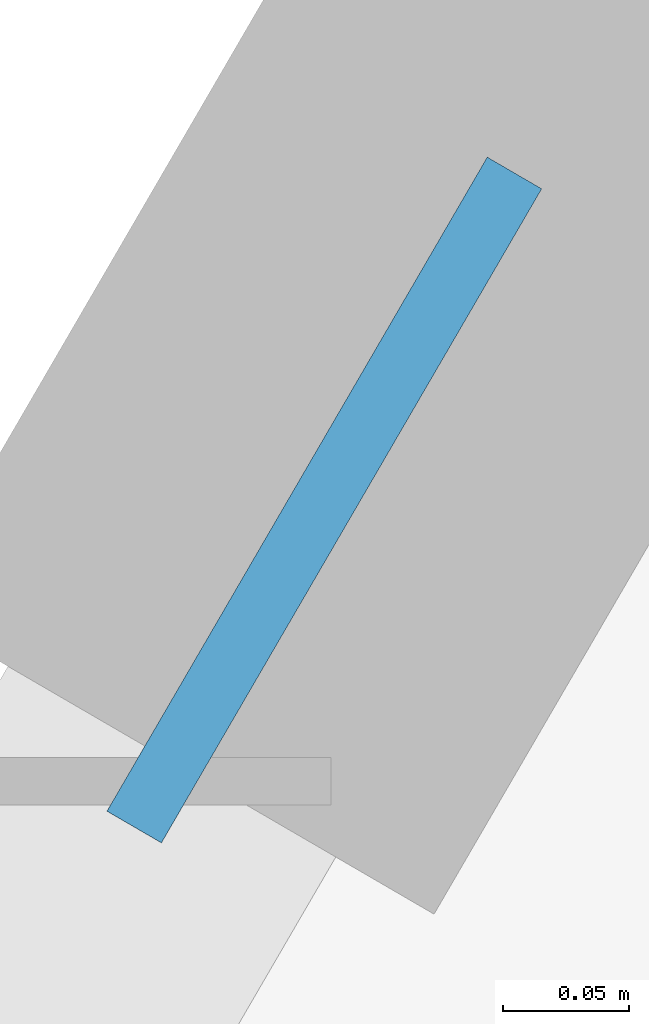
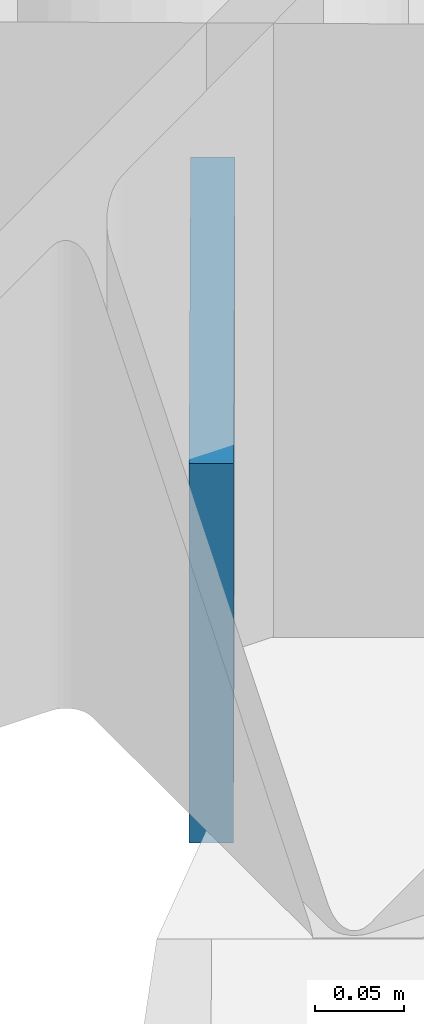
# One storey, part 111 of 144: 1 plate.
"""IFC4 building model written with IfcOpenShell, lengths in metres."""

from ifc_helpers import new_model, si_unit, direction, frame, origin, origin_2d, place, context, subcontext, project, spatial, rectangle, extrude, material, layer, layer_set, type_object, element, save


model = new_model("IFC4")

# Units and contexts
model_context = context("Model", 3, precision=1e-05, world=origin(), true_north=direction((0.0, 1.0)))
body_context = subcontext(model_context, "Body", "Model", "MODEL_VIEW")
ifc_project = project(units=[si_unit("LENGTHUNIT", "METRE"), si_unit("AREAUNIT", "SQUARE_METRE"), si_unit("VOLUMEUNIT", "CUBIC_METRE"), si_unit("PLANEANGLEUNIT", "RADIAN"), si_unit("MASSUNIT", "GRAM", prefix="KILO")], contexts=[model_context])

# Site, building, storey
site_placement = place(None, origin())
site = spatial("IfcSite", under=ifc_project, at=site_placement, CompositionType="ELEMENT")
building_placement = place(site_placement, origin())
building = spatial("IfcBuilding", under=site, at=building_placement, Name="Karori Crest Natural Sciences Institute", CompositionType="ELEMENT")
storey_placement = place(building_placement, origin())
storey = spatial("IfcBuildingStorey", under=building, at=storey_placement, Name="L00", CompositionType="ELEMENT", Elevation=0.0)

# Plate
ifc_material = material(Name="Structural steel AS/NZS 3679.1 Grade 350", Category="steel")
ifc_layer = layer(ifc_material, 0.02490234375, Name="Structural steel AS/NZS 3679.1 Grade 350")
ifc_layer_set = layer_set([ifc_layer], Name="Structural steel AS/NZS 3679.1 Grade 350")
plate_type = type_object("IfcPlateType", Name="PLT-06", PredefinedType="SHEET", material=ifc_layer_set)
plate_placement = place(storey_placement, frame((83.80419921875, 27.390380859375, -0.11962890625), z_axis=(0.0, 0.0, 1.0), x_axis=(0.502651840669, 0.86448893982, 0.0)))
element("IfcPlate", 1, at=plate_placement, inside=storey, type_object=plate_type, Name="Brace gusset plate EP-0015", PredefinedType="SHEET", context=body_context, shape_type="SweptSolid", body=[
    extrude(rectangle(XDim=0.299072265625, YDim=0.02490234375, at=origin_2d()), origin(), (0.0, 0.0, 1.0), 0.259033203125),
])

save(model, "model.ifc")
